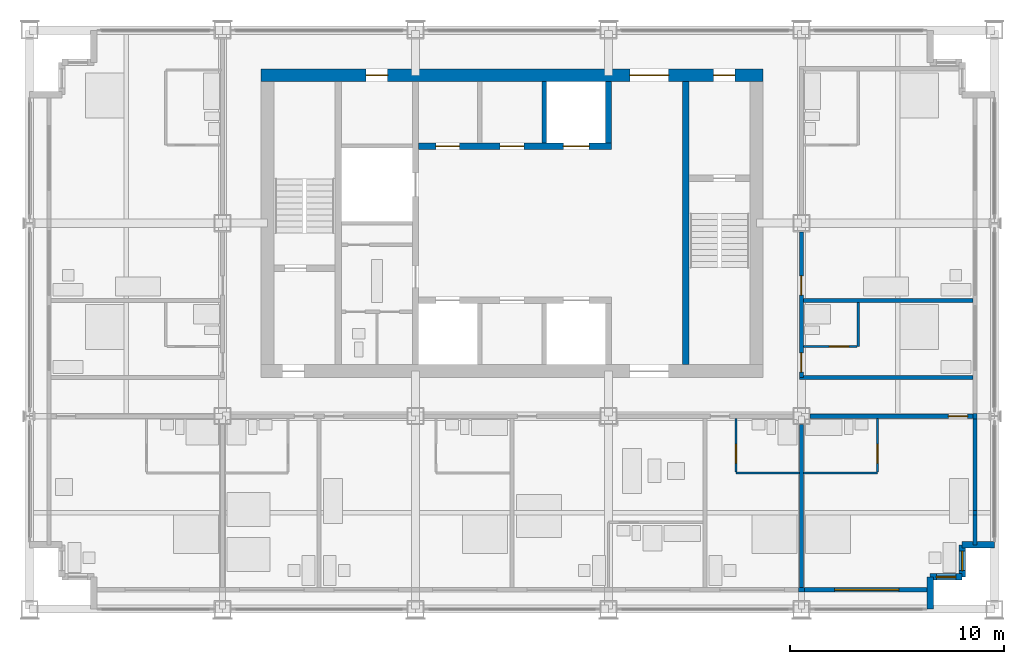
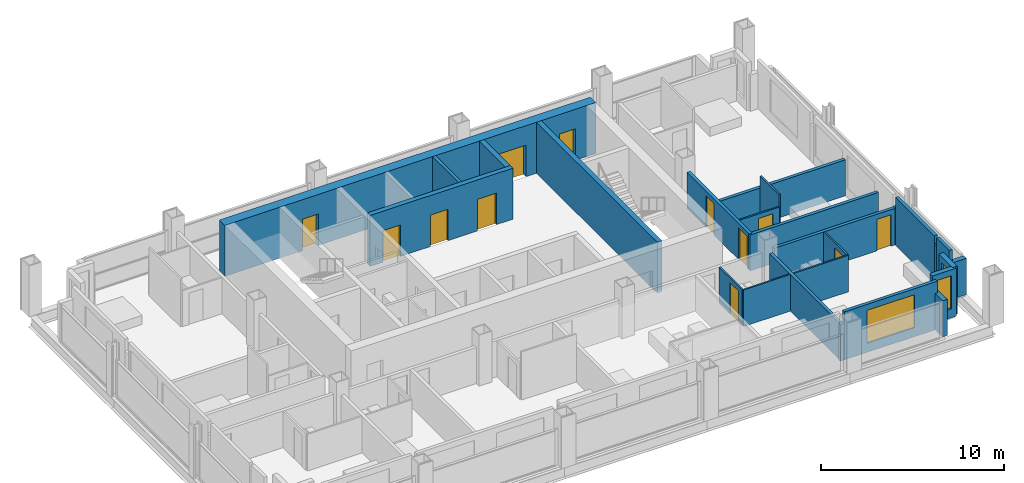
# One storey, part 9 of 13: 26 walls, 12 doors, 3 windows, 15 openings.
"""IFC4 building model written with IfcOpenShell, lengths in metres."""

from ifc_helpers import new_model, si_unit, direction, frame, frame_2d, origin, place, context, subcontext, project, spatial, rectangle, extrude, material, layer, layer_set, type_object, element, fill, save


model = new_model("IFC4")

# Units and contexts
model_context = context("Model", 3, precision=1e-05, world=origin(), true_north=direction((0.0, 1.0)))
body_context = subcontext(model_context, "Body", "Model", "MODEL_VIEW")
ifc_project = project(units=[si_unit("LENGTHUNIT", "METRE"), si_unit("AREAUNIT", "SQUARE_METRE"), si_unit("VOLUMEUNIT", "CUBIC_METRE"), si_unit("PLANEANGLEUNIT", "RADIAN"), si_unit("MASSUNIT", "GRAM", prefix="KILO")], contexts=[model_context])

# Site, building, storey
site_placement = place(None, origin())
site = spatial("IfcSite", under=ifc_project, at=site_placement, CompositionType="ELEMENT")
building_placement = place(site_placement, origin())
building = spatial("IfcBuilding", under=site, at=building_placement, Name="Loomwork Tower", CompositionType="ELEMENT")
storey_placement = place(building_placement, frame((0.0, 0.0, 208.0)))
storey = spatial("IfcBuildingStorey", under=building, at=storey_placement, Name="L57", CompositionType="ELEMENT", Elevation=208.0)

# Wall, openings, doors
ifc_material_1 = material(Name="Concrete 14000 psi (97 MPa)", Category="concrete")
ifc_layer_1 = layer(ifc_material_1, 0.300048828125)
ifc_layer_set_1 = layer_set([ifc_layer_1], Name="Core shear wall 300")
wall_type_1 = type_object("IfcWallType", Name="Core shear wall 300", PredefinedType="SHEAR", material=ifc_layer_set_1)
wall_1_placement = place(storey_placement, frame((18.14990234375, 21.60009765625, 0.0), z_axis=(0.0, 0.0, 1.0), x_axis=(1.0, 0.0, 0.0)))
wall_1 = element("IfcWall", 1, at=wall_1_placement, inside=storey, type_object=wall_type_1, Name="Lift front wall north L57", PredefinedType="SHEAR", context=body_context, shape_type="SweptSolid", body=[
    extrude(rectangle(XDim=9.0, YDim=0.300048828125, at=frame_2d((4.5, 0.0))), origin(), (0.0, 0.0, 1.0), 3.39990234375),
])
opening_1_placement = place(wall_1_placement, frame((6.75, 0.0, 0.0)))
opening_1 = element("IfcOpeningElement", 2, at=opening_1_placement, cuts=wall_1, Name="Opening LD2", PredefinedType="OPENING", context=body_context, shape_type="SweptSolid", body=[
    extrude(rectangle(XDim=1.199951171875, YDim=2.10009765625, at=frame_2d((0.60009765625, 1.050048828125))), frame((0.0, 0.159912109375, 0.0), z_axis=(0.0, -1.0, 0.0), x_axis=(1.0, 0.0, 0.0)), (0.0, 0.0, 1.0), 0.320068359375),
])
opening_2_placement = place(wall_1_placement, frame((0.800048828125, 0.0, 0.0)))
opening_2 = element("IfcOpeningElement", 3, at=opening_2_placement, cuts=wall_1, Name="Opening D17", PredefinedType="OPENING", context=body_context, shape_type="SweptSolid", body=[
    extrude(rectangle(XDim=1.10009765625, YDim=2.10009765625, at=frame_2d((0.550048828125, 1.050048828125))), frame((0.0, 0.159912109375, 0.0), z_axis=(0.0, -1.0, 0.0), x_axis=(1.0, 0.0, 0.0)), (0.0, 0.0, 1.0), 0.320068359375),
])
opening_3_placement = place(wall_1_placement, frame((3.800048828125, 0.0, 0.0)))
opening_3 = element("IfcOpeningElement", 4, at=opening_3_placement, cuts=wall_1, Name="Opening D17", PredefinedType="OPENING", context=body_context, shape_type="SweptSolid", body=[
    extrude(rectangle(XDim=1.10009765625, YDim=2.10009765625, at=frame_2d((0.550048828125, 1.050048828125))), frame((0.0, 0.159912109375, 0.0), z_axis=(0.0, -1.0, 0.0), x_axis=(1.0, 0.0, 0.0)), (0.0, 0.0, 1.0), 0.320068359375),
])
ifc_material_2 = material(Name="Hollow metal door and frame")
door_type_1 = type_object("IfcDoorType", Name="Lift landing door 1200", OperationType="SLIDING_TO_LEFT", PredefinedType="DOOR", material=ifc_material_2)
door_1_placement = place(opening_1_placement, origin())
door_1 = element("IfcDoor", 5, at=door_1_placement, inside=storey, type_object=door_type_1, Name="Lift landing door LF2", OperationType="SLIDING_TO_LEFT", OverallHeight=2.10009765625, OverallWidth=1.199951171875, PredefinedType="DOOR", context=body_context, shape_type="SweptSolid", body=[
    extrude(rectangle(XDim=1.199951171875, YDim=2.10009765625, at=frame_2d((0.60009765625, 1.050048828125))), frame((0.0, 0.02490234375, 0.0), z_axis=(0.0, -1.0, 0.0), x_axis=(1.0, 0.0, 0.0)), (0.0, 0.0, 1.0), 0.050048828125),
])
fill(opening_1, door_1)
ifc_material_3 = material(Name="Hollow metal door and frame")
door_type_2 = type_object("IfcDoorType", Name="Service room door 1100", OperationType="SINGLE_SWING_LEFT", PredefinedType="DOOR", material=ifc_material_3)
door_2_placement = place(opening_2_placement, origin())
door_2 = element("IfcDoor", 6, at=door_2_placement, inside=storey, type_object=door_type_2, Name="IT and communications room door L57", OperationType="SINGLE_SWING_LEFT", OverallHeight=2.10009765625, OverallWidth=1.10009765625, PredefinedType="DOOR", context=body_context, shape_type="SweptSolid", body=[
    extrude(rectangle(XDim=1.10009765625, YDim=2.10009765625, at=frame_2d((0.550048828125, 1.050048828125))), frame((0.0, 0.02490234375, 0.0), z_axis=(0.0, -1.0, 0.0), x_axis=(1.0, 0.0, 0.0)), (0.0, 0.0, 1.0), 0.050048828125),
])
fill(opening_2, door_2)
door_3_placement = place(opening_3_placement, origin())
door_3 = element("IfcDoor", 7, at=door_3_placement, inside=storey, type_object=door_type_2, Name="Housekeeping store door L57", OperationType="SINGLE_SWING_LEFT", OverallHeight=2.10009765625, OverallWidth=1.10009765625, PredefinedType="DOOR", context=body_context, shape_type="SweptSolid", body=[
    extrude(rectangle(XDim=1.10009765625, YDim=2.10009765625, at=frame_2d((0.550048828125, 1.050048828125))), frame((0.0, 0.02490234375, 0.0), z_axis=(0.0, -1.0, 0.0), x_axis=(1.0, 0.0, 0.0)), (0.0, 0.0, 1.0), 0.050048828125),
])
fill(opening_3, door_3)

# Walls
wall_2_placement = place(storey_placement, frame((27.0, 21.75, 0.0), z_axis=(0.0, 0.0, 1.0), x_axis=(0.0, 1.0, 0.0)))
element("IfcWall", 8, at=wall_2_placement, inside=storey, type_object=wall_type_1, Name="Lift shaft end wall north L57", PredefinedType="SHEAR", context=body_context, shape_type="SweptSolid", body=[
    extrude(rectangle(XDim=2.85009765625, YDim=0.300048828125, at=frame_2d((1.425048828125, 0.0))), origin(), (0.0, 0.0, 1.0), 3.39990234375),
])
wall_3_placement = place(storey_placement, frame((30.60009765625, 11.39990234375, 0.0), z_axis=(0.0, 0.0, 1.0), x_axis=(0.0, 1.0, 0.0)))
element("IfcWall", 9, at=wall_3_placement, inside=storey, type_object=wall_type_1, Name="Stair B west wall L57", PredefinedType="SHEAR", context=body_context, shape_type="SweptSolid", body=[
    extrude(rectangle(XDim=13.2001953125, YDim=0.300048828125, at=frame_2d((6.60009765625, 0.0))), origin(), (0.0, 0.0, 1.0), 3.39990234375),
])

# Wall, openings, doors
ifc_material_4 = material(Name="Concrete 14000 psi (97 MPa)", Category="concrete")
ifc_layer_2 = layer(ifc_material_4, 0.60009765625)
ifc_layer_set_2 = layer_set([ifc_layer_2], Name="Core shear wall 600")
wall_type_2 = type_object("IfcWallType", Name="Core shear wall 600", PredefinedType="SHEAR", material=ifc_layer_set_2)
wall_4_placement = place(storey_placement, frame((10.800048828125, 24.89990234375, 0.0), z_axis=(0.0, 0.0, 1.0), x_axis=(1.0, 0.0, 0.0)))
wall_4 = element("IfcWall", 10, at=wall_4_placement, inside=storey, type_object=wall_type_2, Name="Core wall north L57", PredefinedType="SHEAR", context=body_context, shape_type="SweptSolid", body=[
    extrude(rectangle(XDim=23.39990234375, YDim=0.60009765625, at=frame_2d((11.699951171875, 0.0))), origin(), (0.0, 0.0, 1.0), 3.39990234375),
])
opening_4_placement = place(wall_4_placement, frame((17.199951171875, 0.0, 0.0)))
opening_4 = element("IfcOpeningElement", 11, at=opening_4_placement, cuts=wall_4, Name="Opening D6", PredefinedType="OPENING", context=body_context, shape_type="SweptSolid", body=[
    extrude(rectangle(XDim=1.800048828125, YDim=2.10009765625, at=frame_2d((0.89990234375, 1.050048828125))), frame((0.0, 0.31005859375, 0.0), z_axis=(0.0, -1.0, 0.0), x_axis=(1.0, 0.0, 0.0)), (0.0, 0.0, 1.0), 0.6201171875),
])
opening_5_placement = place(wall_4_placement, frame((21.10009765625, 0.0, 0.0)))
opening_5 = element("IfcOpeningElement", 12, at=opening_5_placement, cuts=wall_4, Name="Opening D4", PredefinedType="OPENING", context=body_context, shape_type="SweptSolid", body=[
    extrude(rectangle(XDim=1.0, YDim=2.10009765625, at=frame_2d((0.5, 1.050048828125))), frame((0.0, 0.31005859375, 0.0), z_axis=(0.0, -1.0, 0.0), x_axis=(1.0, 0.0, 0.0)), (0.0, 0.0, 1.0), 0.6201171875),
])
opening_6_placement = place(wall_4_placement, frame((4.89990234375, 0.0, 0.0)))
opening_6 = element("IfcOpeningElement", 13, at=opening_6_placement, cuts=wall_4, Name="Opening D5", PredefinedType="OPENING", context=body_context, shape_type="SweptSolid", body=[
    extrude(rectangle(XDim=1.0, YDim=2.10009765625, at=frame_2d((0.5, 1.050048828125))), frame((0.0, 0.31005859375, 0.0), z_axis=(0.0, -1.0, 0.0), x_axis=(1.0, 0.0, 0.0)), (0.0, 0.0, 1.0), 0.6201171875),
])
ifc_material_5 = material(Name="Hollow metal door and frame")
door_type_3 = type_object("IfcDoorType", Name="Lobby passage double door 1800", OperationType="DOUBLE_DOOR_SINGLE_SWING", PredefinedType="DOOR", material=ifc_material_5)
door_4_placement = place(opening_4_placement, frame((1.800048828125, 0.0, 0.0), z_axis=(0.0, 0.0, 1.0), x_axis=(-1.0, 0.0, 0.0)))
door_4 = element("IfcDoor", 14, at=door_4_placement, inside=storey, type_object=door_type_3, Name="Lobby passage door north", OperationType="DOUBLE_DOOR_SINGLE_SWING", OverallHeight=2.10009765625, OverallWidth=1.800048828125, PredefinedType="DOOR", context=body_context, shape_type="SweptSolid", body=[
    extrude(rectangle(XDim=1.800048828125, YDim=2.10009765625, at=frame_2d((0.89990234375, 1.050048828125))), frame((0.0, 0.02490234375, 0.0), z_axis=(0.0, -1.0, 0.0), x_axis=(1.0, 0.0, 0.0)), (0.0, 0.0, 1.0), 0.050048828125),
])
fill(opening_4, door_4)
ifc_material_6 = material(Name="Hollow metal door and frame")
door_type_4 = type_object("IfcDoorType", Name="Service door 1000", OperationType="SINGLE_SWING_LEFT", PredefinedType="DOOR", material=ifc_material_6)
door_5_placement = place(opening_6_placement, frame((1.0, 0.0, 0.0), z_axis=(0.0, 0.0, 1.0), x_axis=(-1.0, 0.0, 0.0)))
door_5 = element("IfcDoor", 15, at=door_5_placement, inside=storey, type_object=door_type_4, Name="Back-of-house door north", OperationType="SINGLE_SWING_LEFT", OverallHeight=2.10009765625, OverallWidth=1.0, PredefinedType="DOOR", context=body_context, shape_type="SweptSolid", body=[
    extrude(rectangle(XDim=1.0, YDim=2.10009765625, at=frame_2d((0.5, 1.050048828125))), frame((0.0, 0.02490234375, 0.0), z_axis=(0.0, -1.0, 0.0), x_axis=(1.0, 0.0, 0.0)), (0.0, 0.0, 1.0), 0.050048828125),
])
fill(opening_6, door_5)
ifc_material_7 = material(Name="Hollow metal door and frame")
door_type_5 = type_object("IfcDoorType", Name="Stair door 1000", OperationType="SINGLE_SWING_RIGHT", PredefinedType="DOOR", material=ifc_material_7)
door_6_placement = place(opening_5_placement, frame((1.0, 0.0, 0.0), z_axis=(0.0, 0.0, 1.0), x_axis=(-1.0, 0.0, 0.0)))
door_6 = element("IfcDoor", 16, at=door_6_placement, inside=storey, type_object=door_type_5, Name="Stair B vestibule door", OperationType="SINGLE_SWING_LEFT", OverallHeight=2.10009765625, OverallWidth=1.0, PredefinedType="DOOR", context=body_context, shape_type="SweptSolid", body=[
    extrude(rectangle(XDim=1.0, YDim=2.10009765625, at=frame_2d((0.5, 1.050048828125))), frame((0.0, 0.02490234375, 0.0), z_axis=(0.0, -1.0, 0.0), x_axis=(1.0, 0.0, 0.0)), (0.0, 0.0, 1.0), 0.050048828125),
])
fill(opening_5, door_6)

# Wall, opening, door
ifc_material_8 = material(Name="Gypsum board on steel studs, one-hour", Category="steel")
ifc_layer_3 = layer(ifc_material_8, 0.199951171875)
ifc_layer_set_3 = layer_set([ifc_layer_3], Name="Corridor wall 200")
wall_type_3 = type_object("IfcWallType", Name="Corridor wall 200", PredefinedType="PARTITIONING", material=ifc_layer_set_3)
wall_5_placement = place(storey_placement, frame((36.39990234375, 9.0, 0.0), z_axis=(0.0, 0.0, 1.0), x_axis=(1.0, 0.0, 0.0)))
wall_5 = element("IfcWall", 17, at=wall_5_placement, inside=storey, type_object=wall_type_3, Name="South corridor wall 5", PredefinedType="PARTITIONING", context=body_context, shape_type="SweptSolid", body=[
    extrude(rectangle(XDim=7.60009765625, YDim=0.199951171875, at=frame_2d((3.800048828125, 0.0))), origin(), (0.0, 0.0, 1.0), 2.43798828125),
])
opening_7_placement = place(wall_5_placement, frame((6.449951171875, 0.0, 0.0)))
opening_7 = element("IfcOpeningElement", 18, at=opening_7_placement, cuts=wall_5, Name="Opening D1", PredefinedType="OPENING", context=body_context, shape_type="SweptSolid", body=[
    extrude(rectangle(XDim=0.89990234375, YDim=2.10009765625, at=frame_2d((0.449951171875, 1.050048828125))), frame((0.0, 0.10986328125, 0.0), z_axis=(0.0, -1.0, 0.0), x_axis=(1.0, 0.0, 0.0)), (0.0, 0.0, 1.0), 0.219970703125),
])
ifc_material_9 = material(Name="Hollow metal door and frame")
door_type_6 = type_object("IfcDoorType", Name="Guest room entry door 900", OperationType="SINGLE_SWING_LEFT", PredefinedType="DOOR", material=ifc_material_9)
door_7_placement = place(opening_7_placement, frame((0.89990234375, 0.0, 0.0), z_axis=(0.0, 0.0, 1.0), x_axis=(-1.0, 0.0, 0.0)))
door_7 = element("IfcDoor", 19, at=door_7_placement, inside=storey, type_object=door_type_6, Name="Guest room entry door L57 6", OperationType="SINGLE_SWING_LEFT", OverallHeight=2.10009765625, OverallWidth=0.89990234375, PredefinedType="DOOR", context=body_context, shape_type="SweptSolid", body=[
    extrude(rectangle(XDim=0.89990234375, YDim=2.10009765625, at=frame_2d((0.449951171875, 1.050048828125))), frame((0.0, 0.02490234375, 0.0), z_axis=(0.0, -1.0, 0.0), x_axis=(1.0, 0.0, 0.0)), (0.0, 0.0, 1.0), 0.050048828125),
])
fill(opening_7, door_7)

# Wall, openings, doors
wall_6_placement = place(storey_placement, frame((36.0, 10.800048828125, 0.0), z_axis=(0.0, 0.0, 1.0), x_axis=(0.0, 1.0, 0.0)))
wall_6 = element("IfcWall", 20, at=wall_6_placement, inside=storey, type_object=wall_type_3, Name="East corridor wall 1", PredefinedType="PARTITIONING", context=body_context, shape_type="SweptSolid", body=[
    extrude(rectangle(XDim=6.800048828125, YDim=0.199951171875, at=frame_2d((3.39990234375, 0.0))), origin(), (0.0, 0.0, 1.0), 2.405029296875),
])
opening_8_placement = place(wall_6_placement, frame((0.25, 0.0, 0.0)))
opening_8 = element("IfcOpeningElement", 21, at=opening_8_placement, cuts=wall_6, Name="Opening D1", PredefinedType="OPENING", context=body_context, shape_type="SweptSolid", body=[
    extrude(rectangle(XDim=0.89990234375, YDim=2.10009765625, at=frame_2d((0.449951171875, 1.050048828125))), frame((0.0, 0.10986328125, 0.0), z_axis=(0.0, -1.0, 0.0), x_axis=(1.0, 0.0, 0.0)), (0.0, 0.0, 1.0), 0.219970703125),
])
opening_9_placement = place(wall_6_placement, frame((3.85009765625, 0.0, 0.0)))
opening_9 = element("IfcOpeningElement", 22, at=opening_9_placement, cuts=wall_6, Name="Opening D1", PredefinedType="OPENING", context=body_context, shape_type="SweptSolid", body=[
    extrude(rectangle(XDim=0.89990234375, YDim=2.10009765625, at=frame_2d((0.449951171875, 1.050048828125))), frame((0.0, 0.10986328125, 0.0), z_axis=(0.0, -1.0, 0.0), x_axis=(1.0, 0.0, 0.0)), (0.0, 0.0, 1.0), 0.219970703125),
])
door_8_placement = place(opening_8_placement, frame((0.89990234375, 0.0, 0.0), z_axis=(0.0, 0.0, 1.0), x_axis=(-1.0, 0.0, 0.0)))
door_8 = element("IfcDoor", 23, at=door_8_placement, inside=storey, type_object=door_type_6, Name="Guest room entry door L57 9", OperationType="SINGLE_SWING_RIGHT", OverallHeight=2.10009765625, OverallWidth=0.89990234375, PredefinedType="DOOR", context=body_context, shape_type="SweptSolid", body=[
    extrude(rectangle(XDim=0.89990234375, YDim=2.10009765625, at=frame_2d((0.449951171875, 1.050048828125))), frame((0.0, 0.02490234375, 0.0), z_axis=(0.0, -1.0, 0.0), x_axis=(1.0, 0.0, 0.0)), (0.0, 0.0, 1.0), 0.050048828125),
])
fill(opening_8, door_8)
door_9_placement = place(opening_9_placement, frame((0.89990234375, 0.0, 0.0), z_axis=(0.0, 0.0, 1.0), x_axis=(-1.0, 0.0, 0.0)))
door_9 = element("IfcDoor", 24, at=door_9_placement, inside=storey, type_object=door_type_6, Name="Guest room entry door L57 10", OperationType="SINGLE_SWING_RIGHT", OverallHeight=2.10009765625, OverallWidth=0.89990234375, PredefinedType="DOOR", context=body_context, shape_type="SweptSolid", body=[
    extrude(rectangle(XDim=0.89990234375, YDim=2.10009765625, at=frame_2d((0.449951171875, 1.050048828125))), frame((0.0, 0.02490234375, 0.0), z_axis=(0.0, -1.0, 0.0), x_axis=(1.0, 0.0, 0.0)), (0.0, 0.0, 1.0), 0.050048828125),
])
fill(opening_9, door_9)

# Walls
wall_7_placement = place(storey_placement, frame((35.89990234375, 10.800048828125, 0.0), z_axis=(0.0, 0.0, 1.0), x_axis=(1.0, 0.0, 0.0)))
element("IfcWall", 25, at=wall_7_placement, inside=storey, type_object=wall_type_3, Name="East band end wall S", PredefinedType="PARTITIONING", context=body_context, shape_type="SweptSolid", body=[
    extrude(rectangle(XDim=8.10009765625, YDim=0.199951171875, at=frame_2d((4.050048828125, 0.0))), origin(), (0.0, 0.0, 1.0), 2.404052734375),
])
ifc_material_10 = material(Name="Cement board on steel studs", Category="steel")
ifc_layer_4 = layer(ifc_material_10, 0.10009765625)
ifc_layer_set_4 = layer_set([ifc_layer_4], Name="En-suite partition 100")
wall_type_4 = type_object("IfcWallType", Name="En-suite partition 100", PredefinedType="PARTITIONING", material=ifc_layer_set_4)
wall_8_placement = place(storey_placement, frame((32.949951171875, 6.35009765625, 0.0), z_axis=(0.0, 0.0, 1.0), x_axis=(1.0, 0.0, 0.0)))
element("IfcWall", 26, at=wall_8_placement, inside=storey, type_object=wall_type_4, Name="En-suite wall L57 room 5", PredefinedType="PARTITIONING", context=body_context, shape_type="SweptSolid", body=[
    extrude(rectangle(XDim=2.949951171875, YDim=0.10009765625, at=frame_2d((1.47509765625, 0.0))), origin(), (0.0, 0.0, 1.0), 2.43798828125),
])

# Wall, opening, door
wall_9_placement = place(storey_placement, frame((32.949951171875, 8.89990234375, 0.0), z_axis=(0.0, 0.0, 1.0), x_axis=(0.0, -1.0, 0.0)))
wall_9 = element("IfcWall", 27, at=wall_9_placement, inside=storey, type_object=wall_type_4, Name="En-suite side wall L57 room 5", PredefinedType="PARTITIONING", context=body_context, shape_type="SweptSolid", body=[
    extrude(rectangle(XDim=2.5, YDim=0.10009765625, at=frame_2d((1.25, 0.0))), origin(), (0.0, 0.0, 1.0), 2.404052734375),
])
opening_10_placement = place(wall_9_placement, frame((1.199951171875, 0.0, 0.0)))
opening_10 = element("IfcOpeningElement", 28, at=opening_10_placement, cuts=wall_9, Name="Opening D2", PredefinedType="OPENING", context=body_context, shape_type="SweptSolid", body=[
    extrude(rectangle(XDim=0.89990234375, YDim=2.10009765625, at=frame_2d((0.449951171875, 1.050048828125))), frame((0.0, 0.06005859375, 0.0), z_axis=(0.0, -1.0, 0.0), x_axis=(1.0, 0.0, 0.0)), (0.0, 0.0, 1.0), 0.1201171875),
])
ifc_material_11 = material(Name="Hollow metal door and frame")
door_type_7 = type_object("IfcDoorType", Name="En-suite door 900", OperationType="SINGLE_SWING_LEFT", PredefinedType="DOOR", material=ifc_material_11)
door_10_placement = place(opening_10_placement, origin())
door_10 = element("IfcDoor", 29, at=door_10_placement, inside=storey, type_object=door_type_7, Name="En-suite door room 5", OperationType="SINGLE_SWING_RIGHT", OverallHeight=2.10009765625, OverallWidth=0.89990234375, PredefinedType="DOOR", context=body_context, shape_type="SweptSolid", body=[
    extrude(rectangle(XDim=0.89990234375, YDim=2.10009765625, at=frame_2d((0.449951171875, 1.050048828125))), frame((0.0, 0.02490234375, 0.0), z_axis=(0.0, -1.0, 0.0), x_axis=(1.0, 0.0, 0.0)), (0.0, 0.0, 1.0), 0.050048828125),
])
fill(opening_10, door_10)

# Wall
wall_10_placement = place(storey_placement, frame((36.10009765625, 6.35009765625, 0.0), z_axis=(0.0, 0.0, 1.0), x_axis=(1.0, 0.0, 0.0)))
element("IfcWall", 30, at=wall_10_placement, inside=storey, type_object=wall_type_4, Name="En-suite wall L57 room 6", PredefinedType="PARTITIONING", context=body_context, shape_type="SweptSolid", body=[
    extrude(rectangle(XDim=3.449951171875, YDim=0.10009765625, at=frame_2d((1.72509765625, 0.0))), origin(), (0.0, 0.0, 1.0), 2.43798828125),
])

# Wall, opening, door
wall_11_placement = place(storey_placement, frame((39.550048828125, 8.89990234375, 0.0), z_axis=(0.0, 0.0, 1.0), x_axis=(0.0, -1.0, 0.0)))
wall_11 = element("IfcWall", 31, at=wall_11_placement, inside=storey, type_object=wall_type_4, Name="En-suite side wall L57 room 6", PredefinedType="PARTITIONING", context=body_context, shape_type="SweptSolid", body=[
    extrude(rectangle(XDim=2.5, YDim=0.10009765625, at=frame_2d((1.25, 0.0))), origin(), (0.0, 0.0, 1.0), 2.43798828125),
])
opening_11_placement = place(wall_11_placement, frame((1.199951171875, 0.0, 0.0)))
opening_11 = element("IfcOpeningElement", 32, at=opening_11_placement, cuts=wall_11, Name="Opening D2", PredefinedType="OPENING", context=body_context, shape_type="SweptSolid", body=[
    extrude(rectangle(XDim=0.89990234375, YDim=2.10009765625, at=frame_2d((0.449951171875, 1.050048828125))), frame((0.0, 0.06005859375, 0.0), z_axis=(0.0, -1.0, 0.0), x_axis=(1.0, 0.0, 0.0)), (0.0, 0.0, 1.0), 0.1201171875),
])
door_11_placement = place(opening_11_placement, frame((0.89990234375, 0.0, 0.0), z_axis=(0.0, 0.0, 1.0), x_axis=(-1.0, 0.0, 0.0)))
door_11 = element("IfcDoor", 33, at=door_11_placement, inside=storey, type_object=door_type_7, Name="En-suite door room 6", OperationType="SINGLE_SWING_LEFT", OverallHeight=2.10009765625, OverallWidth=0.89990234375, PredefinedType="DOOR", context=body_context, shape_type="SweptSolid", body=[
    extrude(rectangle(XDim=0.89990234375, YDim=2.10009765625, at=frame_2d((0.449951171875, 1.050048828125))), frame((0.0, 0.02490234375, 0.0), z_axis=(0.0, -1.0, 0.0), x_axis=(1.0, 0.0, 0.0)), (0.0, 0.0, 1.0), 0.050048828125),
])
fill(opening_11, door_11)

# Wall
wall_12_placement = place(storey_placement, frame((38.64990234375, 12.25, 0.0), z_axis=(0.0, 0.0, 1.0), x_axis=(0.0, 1.0, 0.0)))
element("IfcWall", 34, at=wall_12_placement, inside=storey, type_object=wall_type_4, Name="En-suite wall L57 room 9", PredefinedType="PARTITIONING", context=body_context, shape_type="SweptSolid", body=[
    extrude(rectangle(XDim=2.050048828125, YDim=0.10009765625, at=frame_2d((1.02490234375, 0.0))), origin(), (0.0, 0.0, 1.0), 3.199951171875),
])

# Wall, opening, door
wall_13_placement = place(storey_placement, frame((36.10009765625, 12.25, 0.0), z_axis=(0.0, 0.0, 1.0), x_axis=(1.0, 0.0, 0.0)))
wall_13 = element("IfcWall", 35, at=wall_13_placement, inside=storey, type_object=wall_type_4, Name="En-suite side wall L57 room 9", PredefinedType="PARTITIONING", context=body_context, shape_type="SweptSolid", body=[
    extrude(rectangle(XDim=2.5, YDim=0.10009765625, at=frame_2d((1.25, 0.0))), origin(), (0.0, 0.0, 1.0), 2.404052734375),
])
opening_12_placement = place(wall_13_placement, frame((1.199951171875, 0.0, 0.0)))
opening_12 = element("IfcOpeningElement", 36, at=opening_12_placement, cuts=wall_13, Name="Opening D2", PredefinedType="OPENING", context=body_context, shape_type="SweptSolid", body=[
    extrude(rectangle(XDim=0.89990234375, YDim=2.10009765625, at=frame_2d((0.449951171875, 1.050048828125))), frame((0.0, 0.06005859375, 0.0), z_axis=(0.0, -1.0, 0.0), x_axis=(1.0, 0.0, 0.0)), (0.0, 0.0, 1.0), 0.1201171875),
])
door_12_placement = place(opening_12_placement, origin())
door_12 = element("IfcDoor", 37, at=door_12_placement, inside=storey, type_object=door_type_7, Name="En-suite door room 9", OperationType="SINGLE_SWING_RIGHT", OverallHeight=2.10009765625, OverallWidth=0.89990234375, PredefinedType="DOOR", context=body_context, shape_type="SweptSolid", body=[
    extrude(rectangle(XDim=0.89990234375, YDim=2.10009765625, at=frame_2d((0.449951171875, 1.050048828125))), frame((0.0, 0.02490234375, 0.0), z_axis=(0.0, -1.0, 0.0), x_axis=(1.0, 0.0, 0.0)), (0.0, 0.0, 1.0), 0.050048828125),
])
fill(opening_12, door_12)

# Walls
ifc_material_12 = material(Name="Gypsum board on steel studs, acoustic", Category="steel")
ifc_layer_5 = layer(ifc_material_12, 0.199951171875)
ifc_layer_set_5 = layer_set([ifc_layer_5], Name="Guest room party wall 200")
wall_type_5 = type_object("IfcWallType", Name="Guest room party wall 200", PredefinedType="PARTITIONING", material=ifc_layer_set_5)
wall_14_placement = place(storey_placement, frame((36.0, 8.60009765625, 0.0), z_axis=(0.0, 0.0, 1.0), x_axis=(0.0, -1.0, 0.0)))
element("IfcWall", 38, at=wall_14_placement, inside=storey, type_object=wall_type_5, Name="Guest room party wall S 36", PredefinedType="PARTITIONING", context=body_context, shape_type="SweptSolid", body=[
    extrude(rectangle(XDim=7.60009765625, YDim=0.199951171875, at=frame_2d((3.800048828125, 0.0))), origin(), (0.0, 0.0, 1.0), 2.43798828125),
])
wall_15_placement = place(storey_placement, frame((36.10009765625, 14.39990234375, 0.0), z_axis=(0.0, 0.0, 1.0), x_axis=(1.0, 0.0, 0.0)))
element("IfcWall", 39, at=wall_15_placement, inside=storey, type_object=wall_type_5, Name="Guest room party wall E 14.4", PredefinedType="PARTITIONING", context=body_context, shape_type="SweptSolid", body=[
    extrude(rectangle(XDim=7.89990234375, YDim=0.199951171875, at=frame_2d((3.949951171875, 0.0))), origin(), (0.0, 0.0, 1.0), 2.404052734375),
])
ifc_material_13 = material(Name="Insulated steel stud wall with gypsum lining", Category="steel")
ifc_layer_6 = layer(ifc_material_13, 0.199951171875)
ifc_layer_set_6 = layer_set([ifc_layer_6], Name="Inner skin wall 200")
wall_type_6 = type_object("IfcWallType", Name="Inner skin wall 200", PredefinedType="SOLIDWALL", material=ifc_layer_set_6)
wall_16_placement = place(storey_placement, frame((44.10009765625, 3.0, 0.0), z_axis=(0.0, 0.0, 1.0), x_axis=(0.0, 1.0, 0.0)))
element("IfcWall", 40, at=wall_16_placement, inside=storey, type_object=wall_type_6, Name="Inner skin wall E", PredefinedType="SOLIDWALL", context=body_context, shape_type="SweptSolid", body=[
    extrude(rectangle(XDim=1.392578125, YDim=0.199951171875, at=frame_2d((0.6962890625, 0.0))), origin(), (0.0, 0.0, 1.0), 3.199951171875),
])
wall_17_placement = place(storey_placement, frame((35.864501953125, 0.89990234375, 0.0), z_axis=(0.0, 0.0, 1.0), x_axis=(1.0, 0.0, 0.0)))
element("IfcWall", 41, at=wall_17_placement, inside=storey, type_object=wall_type_6, Name="Inner skin wall S bay 8", PredefinedType="SOLIDWALL", context=body_context, shape_type="SweptSolid", body=[
    extrude(rectangle(XDim=0.27099609375, YDim=0.199951171875, at=frame_2d((0.135498046875, 0.0))), origin(), (0.0, 0.0, 1.0), 2.43798828125),
])

# Wall, opening, window
wall_18_placement = place(storey_placement, frame((36.135498046875, 0.89990234375, 0.0), z_axis=(0.0, 0.0, 1.0), x_axis=(1.0, 0.0, 0.0)))
wall_18 = element("IfcWall", 42, at=wall_18_placement, inside=storey, type_object=wall_type_6, Name="Inner skin wall S bay 9", PredefinedType="SOLIDWALL", context=body_context, shape_type="SweptSolid", body=[
    extrude(rectangle(XDim=5.864501953125, YDim=0.199951171875, at=frame_2d((2.93212890625, 0.0))), origin(), (0.0, 0.0, 1.0), 3.199951171875),
])
opening_13_placement = place(wall_18_placement, frame((1.41455078125, 0.0, 0.60009765625)))
opening_13 = element("IfcOpeningElement", 43, at=opening_13_placement, cuts=wall_18, Name="Opening CH1", PredefinedType="OPENING", context=body_context, shape_type="SweptSolid", body=[
    extrude(rectangle(XDim=3.0, YDim=2.199951171875, at=frame_2d((1.5, 1.10009765625))), frame((0.0, 0.10986328125, 0.0), z_axis=(0.0, -1.0, 0.0), x_axis=(1.0, 0.0, 0.0)), (0.0, 0.0, 1.0), 0.219970703125),
])
ifc_material_14 = material(Name="Aluminium frame with clear insulated glass", Category="aluminium")
window_type_1 = type_object("IfcWindowType", Name="Chicago window 3000", PartitioningType="TRIPLE_PANEL_VERTICAL", PredefinedType="WINDOW", material=ifc_material_14)
window_1_placement = place(opening_13_placement, origin())
window_1 = element("IfcWindow", 44, at=window_1_placement, inside=storey, type_object=window_type_1, Name="Chicago window L57 bay 5", OverallHeight=2.199951171875, OverallWidth=3.0, PartitioningType="TRIPLE_PANEL_VERTICAL", PredefinedType="WINDOW", context=body_context, shape_type="SweptSolid", body=[
    extrude(rectangle(XDim=3.0, YDim=2.199951171875, at=frame_2d((1.5, 1.10009765625))), frame((0.0, 0.030029296875, 0.0), z_axis=(0.0, -1.0, 0.0), x_axis=(1.0, 0.0, 0.0)), (0.0, 0.0, 1.0), 0.06005859375),
])
fill(opening_13, window_1)

# Walls
wall_19_placement = place(storey_placement, frame((44.10009765625, 4.392578125, 0.0), z_axis=(0.0, 0.0, 1.0), x_axis=(0.0, 1.0, 0.0)))
element("IfcWall", 45, at=wall_19_placement, inside=storey, type_object=wall_type_6, Name="Inner skin wall E bay 2", PredefinedType="SOLIDWALL", context=body_context, shape_type="SweptSolid", body=[
    extrude(rectangle(XDim=0.21484375, YDim=0.199951171875, at=frame_2d((0.107421875, 0.0))), origin(), (0.0, 0.0, 1.0), 2.660888671875),
])
wall_20_placement = place(storey_placement, frame((44.10009765625, 4.607421875, 0.0), z_axis=(0.0, 0.0, 1.0), x_axis=(0.0, 1.0, 0.0)))
element("IfcWall", 46, at=wall_20_placement, inside=storey, type_object=wall_type_6, Name="Inner skin wall E bay 3", PredefinedType="SOLIDWALL", context=body_context, shape_type="SweptSolid", body=[
    extrude(rectangle(XDim=4.25732421875, YDim=0.199951171875, at=frame_2d((2.128662109375, 0.0))), origin(), (0.0, 0.0, 1.0), 3.199951171875),
])
wall_21_placement = place(storey_placement, frame((44.10009765625, 8.86474609375, 0.0), z_axis=(0.0, 0.0, 1.0), x_axis=(0.0, 1.0, 0.0)))
element("IfcWall", 47, at=wall_21_placement, inside=storey, type_object=wall_type_6, Name="Inner skin wall E bay 4", PredefinedType="SOLIDWALL", context=body_context, shape_type="SweptSolid", body=[
    extrude(rectangle(XDim=0.2705078125, YDim=0.199951171875, at=frame_2d((0.13525390625, 0.0))), origin(), (0.0, 0.0, 1.0), 2.43798828125),
])
ifc_material_15 = material(Name="Concrete 14000 psi (97 MPa)", Category="concrete")
ifc_layer_7 = layer(ifc_material_15, 0.199951171875)
ifc_layer_set_7 = layer_set([ifc_layer_7], Name="Lift shaft wall 200")
wall_type_7 = type_object("IfcWallType", Name="Lift shaft wall 200", PredefinedType="SHEAR", material=ifc_layer_set_7)
wall_22_placement = place(storey_placement, frame((24.0, 21.75, 0.0), z_axis=(0.0, 0.0, 1.0), x_axis=(0.0, 1.0, 0.0)))
element("IfcWall", 48, at=wall_22_placement, inside=storey, type_object=wall_type_7, Name="Lift shaft separation wall north 2 L57", PredefinedType="SHEAR", context=body_context, shape_type="SweptSolid", body=[
    extrude(rectangle(XDim=2.85009765625, YDim=0.199951171875, at=frame_2d((1.425048828125, 0.0))), origin(), (0.0, 0.0, 1.0), 3.39990234375),
])
ifc_material_16 = material(Name="Limestone on concrete masonry", Category="masonry")
ifc_layer_8 = layer(ifc_material_16, 0.300048828125)
ifc_layer_set_8 = layer_set([ifc_layer_8], Name="Limestone corner wall 300")
wall_type_8 = type_object("IfcWallType", Name="Limestone corner wall 300", PredefinedType="SOLIDWALL", material=ifc_layer_set_8)
wall_23_placement = place(storey_placement, frame((42.0, 0.0, 0.0), z_axis=(0.0, 0.0, 1.0), x_axis=(0.0, 1.0, 0.0)))
element("IfcWall", 49, at=wall_23_placement, inside=storey, type_object=wall_type_8, Name="Stone corner wall SE 1", PredefinedType="SOLIDWALL", context=body_context, shape_type="SweptSolid", body=[
    extrude(rectangle(XDim=1.5, YDim=0.300048828125, at=frame_2d((0.75, 0.0))), origin(), (0.0, 0.0, 1.0), 2.419921875),
])

# Wall, opening, window
wall_24_placement = place(storey_placement, frame((42.0, 1.5, 0.0), z_axis=(0.0, 0.0, 1.0), x_axis=(1.0, 0.0, 0.0)))
wall_24 = element("IfcWall", 50, at=wall_24_placement, inside=storey, type_object=wall_type_8, Name="Stone corner wall SE 2", PredefinedType="SOLIDWALL", context=body_context, shape_type="SweptSolid", body=[
    extrude(rectangle(XDim=1.5, YDim=0.300048828125, at=frame_2d((0.75, 0.0))), origin(), (0.0, 0.0, 1.0), 3.199951171875),
])
opening_14_placement = place(wall_24_placement, frame((0.300048828125, 0.0, 0.60009765625)))
opening_14 = element("IfcOpeningElement", 51, at=opening_14_placement, cuts=wall_24, Name="Opening CH2", PredefinedType="OPENING", context=body_context, shape_type="SweptSolid", body=[
    extrude(rectangle(XDim=0.89990234375, YDim=2.199951171875, at=frame_2d((0.449951171875, 1.10009765625))), frame((0.0, 0.159912109375, 0.0), z_axis=(0.0, -1.0, 0.0), x_axis=(1.0, 0.0, 0.0)), (0.0, 0.0, 1.0), 0.320068359375),
])
ifc_material_17 = material(Name="Aluminium frame with clear insulated glass", Category="aluminium")
window_type_2 = type_object("IfcWindowType", Name="Corner window 900", PartitioningType="SINGLE_PANEL", PredefinedType="WINDOW", material=ifc_material_17)
window_2_placement = place(opening_14_placement, origin())
window_2 = element("IfcWindow", 52, at=window_2_placement, inside=storey, type_object=window_type_2, Name="Corner window SE", OverallHeight=2.199951171875, OverallWidth=0.89990234375, PartitioningType="SINGLE_PANEL", PredefinedType="WINDOW", context=body_context, shape_type="SweptSolid", body=[
    extrude(rectangle(XDim=0.89990234375, YDim=2.199951171875, at=frame_2d((0.449951171875, 1.10009765625))), frame((0.0, 0.030029296875, 0.0), z_axis=(0.0, -1.0, 0.0), x_axis=(1.0, 0.0, 0.0)), (0.0, 0.0, 1.0), 0.06005859375),
])
fill(opening_14, window_2)

wall_25_placement = place(storey_placement, frame((43.5, 1.5, 0.0), z_axis=(0.0, 0.0, 1.0), x_axis=(0.0, 1.0, 0.0)))
wall_25 = element("IfcWall", 53, at=wall_25_placement, inside=storey, type_object=wall_type_8, Name="Stone corner wall SE 3", PredefinedType="SOLIDWALL", context=body_context, shape_type="SweptSolid", body=[
    extrude(rectangle(XDim=1.5, YDim=0.300048828125, at=frame_2d((0.75, 0.0))), origin(), (0.0, 0.0, 1.0), 3.199951171875),
])
opening_15_placement = place(wall_25_placement, frame((0.300048828125, 0.0, 0.60009765625)))
opening_15 = element("IfcOpeningElement", 54, at=opening_15_placement, cuts=wall_25, Name="Opening CH2", PredefinedType="OPENING", context=body_context, shape_type="SweptSolid", body=[
    extrude(rectangle(XDim=0.89990234375, YDim=2.199951171875, at=frame_2d((0.449951171875, 1.10009765625))), frame((0.0, 0.159912109375, 0.0), z_axis=(0.0, -1.0, 0.0), x_axis=(1.0, 0.0, 0.0)), (0.0, 0.0, 1.0), 0.320068359375),
])
window_3_placement = place(opening_15_placement, origin())
window_3 = element("IfcWindow", 55, at=window_3_placement, inside=storey, type_object=window_type_2, Name="Corner window SE", OverallHeight=2.199951171875, OverallWidth=0.89990234375, PartitioningType="SINGLE_PANEL", PredefinedType="WINDOW", context=body_context, shape_type="SweptSolid", body=[
    extrude(rectangle(XDim=0.89990234375, YDim=2.199951171875, at=frame_2d((0.449951171875, 1.10009765625))), frame((0.0, 0.030029296875, 0.0), z_axis=(0.0, -1.0, 0.0), x_axis=(1.0, 0.0, 0.0)), (0.0, 0.0, 1.0), 0.06005859375),
])
fill(opening_15, window_3)

# Wall
wall_26_placement = place(storey_placement, frame((43.5, 3.0, 0.0), z_axis=(0.0, 0.0, 1.0), x_axis=(1.0, 0.0, 0.0)))
element("IfcWall", 56, at=wall_26_placement, inside=storey, type_object=wall_type_8, Name="Stone corner wall SE 4", PredefinedType="SOLIDWALL", context=body_context, shape_type="SweptSolid", body=[
    extrude(rectangle(XDim=1.5, YDim=0.300048828125, at=frame_2d((0.75, 0.0))), origin(), (0.0, 0.0, 1.0), 2.419921875),
])

save(model, "model.ifc")
